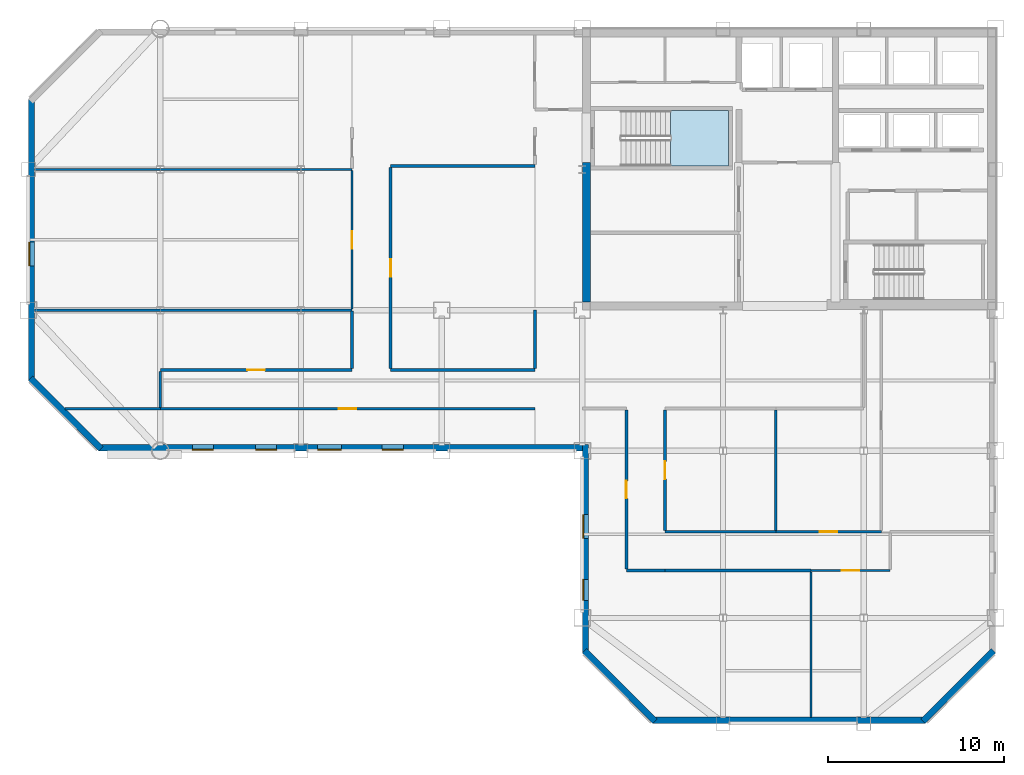
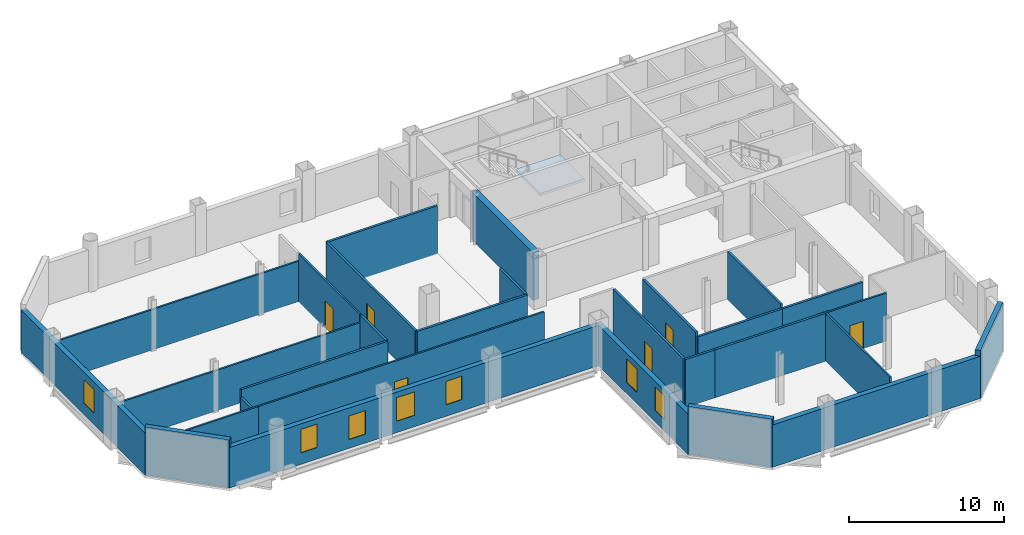
# One storey, part 4 of 10: 29 walls, 8 doors, 7 windows, 1 slab, 15 openings, 1 element without a shape of its own.
"""IFC4 building model written with IfcOpenShell, lengths in metres."""

from ifc_helpers import new_model, si_unit, direction, frame, frame_2d, origin, place, context, subcontext, project, spatial, polyline, rectangle, outline, extrude, material, layer, layer_set, type_object, element, fill, aggregate, save


model = new_model("IFC4")

# Units and contexts
model_context = context("Model", 3, precision=1e-05, world=origin(), true_north=direction((0.0, 1.0)))
body_context = subcontext(model_context, "Body", "Model", "MODEL_VIEW")
ifc_project = project(units=[si_unit("LENGTHUNIT", "METRE"), si_unit("AREAUNIT", "SQUARE_METRE"), si_unit("VOLUMEUNIT", "CUBIC_METRE"), si_unit("PLANEANGLEUNIT", "RADIAN"), si_unit("MASSUNIT", "GRAM", prefix="KILO")], contexts=[model_context])

# Site, building, storey
site_placement = place(None, origin())
site = spatial("IfcSite", under=ifc_project, at=site_placement, CompositionType="ELEMENT")
building_placement = place(site_placement, origin())
building = spatial("IfcBuilding", under=site, at=building_placement, Name="Qianrong Seaharbour Tower", CompositionType="ELEMENT")
storey_placement = place(building_placement, frame((0.0, 0.0, 249.800048828125)))
storey = spatial("IfcBuildingStorey", under=building, at=storey_placement, Name="L60", CompositionType="ELEMENT", Elevation=249.800048828125)

# Stair, slab
ifc_material_1 = material(Name="Concrete C50/60", Category="concrete")
stair_type = type_object("IfcStairType", Name="STAIR-DOGLEG-1500-R22", PredefinedType="HALF_TURN_STAIR", material=ifc_material_1)
stair_placement = place(storey_placement, origin())
stair = element("IfcStair", 1, at=stair_placement, inside=storey, type_object=stair_type, Name="L60 Protected Escape Stair ST-1", PredefinedType="HALF_TURN_STAIR")
ifc_layer_1 = layer(ifc_material_1, 0.199951171875)
ifc_layer_set_1 = layer_set([ifc_layer_1], Name="Concrete C50/60")
slab_type = type_object("IfcSlabType", Name="SLAB-STAIR-LANDING-200", PredefinedType="LANDING", material=ifc_layer_set_1)
slab_placement = place(storey_placement, frame((0.0, 0.0, 1.800048828125)))
slab = element("IfcSlab", 2, at=slab_placement, type_object=slab_type, Name="ST-1 landing 1", PredefinedType="LANDING", context=body_context, shape_type="SweptSolid", body=[
    extrude(outline(polyline([(45.5, 44.199951171875), (48.800048828125, 44.199951171875), (48.800048828125, 47.35009765625), (45.5, 47.35009765625), (45.5, 44.199951171875)])), origin(), (0.0, 0.0, 1.0), 0.199951171875),
])
aggregate(stair, [slab])

# Walls
ifc_material_2 = material(Name="Concrete C60/75", Category="concrete")
ifc_layer_2 = layer(ifc_material_2, 0.4599609375)
ifc_layer_set_2 = layer_set([ifc_layer_2], Name="Concrete C60/75")
wall_type_1 = type_object("IfcWallType", Name="WALL-CORE-460", PredefinedType="SHEAR", material=ifc_layer_set_2)
wall_1_placement = place(storey_placement, frame((40.72998046875, 36.4599609375, 0.0), z_axis=(0.0, 0.0, 1.0), x_axis=(0.0, 1.0, 0.0)))
element("IfcWall", 3, at=wall_1_placement, inside=storey, type_object=wall_type_1, Name="L60 West Core Shear Wall South", PredefinedType="SHEAR", context=body_context, shape_type="SweptSolid", body=[
    extrude(rectangle(XDim=7.93994140625, YDim=0.4599609375, at=frame_2d((3.969970703125, 0.0))), origin(), (0.0, 0.0, 1.0), 3.77490234375),
])
ifc_material_3 = material(Name="Fire-rated acoustic gypsum board partition")
ifc_layer_3 = layer(ifc_material_3, 0.1650390625)
ifc_layer_set_3 = layer_set([ifc_layer_3], Name="Fire-rated acoustic gypsum board partition")
wall_type_2 = type_object("IfcWallType", Name="WALL-CORR-PART-165", PredefinedType="PARTITIONING", material=ifc_layer_set_3)
wall_2_placement = place(storey_placement, frame((29.60009765625, 32.60009765625, 0.0), z_axis=(0.0, 0.0, 1.0), x_axis=(1.0, 0.0, 0.0)))
element("IfcWall", 4, at=wall_2_placement, inside=storey, type_object=wall_type_2, Name="L60 Interior Partition Wall 015", PredefinedType="PARTITIONING", context=body_context, shape_type="SweptSolid", body=[
    extrude(rectangle(XDim=8.199951171875, YDim=0.1650390625, at=frame_2d((4.10009765625, 0.0))), origin(), (0.0, 0.0, 1.0), 3.77490234375),
])
wall_3_placement = place(storey_placement, frame((16.5, 30.45703125, 0.0), z_axis=(0.0, 0.0, 1.0), x_axis=(0.0, 1.0, 0.0)))
element("IfcWall", 5, at=wall_3_placement, inside=storey, type_object=wall_type_2, Name="L60 Interior Partition Wall 016", PredefinedType="PARTITIONING", context=body_context, shape_type="SweptSolid", body=[
    extrude(rectangle(XDim=2.068359375, YDim=0.1650390625, at=frame_2d((1.0341796875, 0.0))), origin(), (0.0, 0.0, 1.0), 3.178955078125),
])

# Wall, opening, door
wall_4_placement = place(storey_placement, frame((16.5, 32.60009765625, 0.0), z_axis=(0.0, 0.0, 1.0), x_axis=(1.0, 0.0, 0.0)))
wall_4 = element("IfcWall", 6, at=wall_4_placement, inside=storey, type_object=wall_type_2, Name="L60 Interior Partition Wall 017", PredefinedType="PARTITIONING", context=body_context, shape_type="SweptSolid", body=[
    extrude(rectangle(XDim=10.89990234375, YDim=0.1650390625, at=frame_2d((5.449951171875, 0.0))), origin(), (0.0, 0.0, 1.0), 3.77490234375),
])
opening_1_placement = place(wall_4_placement, frame((4.949951171875, 0.0, 0.0)))
opening_1 = element("IfcOpeningElement", 7, at=opening_1_placement, cuts=wall_4, Name="Opening DO-01", PredefinedType="OPENING", context=body_context, shape_type="SweptSolid", body=[
    extrude(rectangle(XDim=1.0, YDim=2.14990234375, at=frame_2d((0.5, 1.074951171875))), frame((0.0, 0.092529296875, 0.0), z_axis=(0.0, -1.0, 0.0), x_axis=(1.0, 0.0, 0.0)), (0.0, 0.0, 1.0), 0.18505859375),
])
ifc_material_4 = material(Name="Acoustic timber and galvanized steel fire door assembly", Category="steel")
door_type = type_object("IfcDoorType", Name="DOOR-OFFICE-1000x2150", OperationType="NOTDEFINED", PredefinedType="DOOR", material=ifc_material_4)
door_1_placement = place(opening_1_placement, origin())
door_1 = element("IfcDoor", 8, at=door_1_placement, inside=storey, type_object=door_type, Name="L60 Harbour Sunset Lounge 1 Door", OperationType="SINGLE_SWING_RIGHT", OverallHeight=2.14990234375, OverallWidth=1.0, PredefinedType="DOOR", context=body_context, shape_type="SweptSolid", body=[
    extrude(rectangle(XDim=1.0, YDim=2.14990234375, at=frame_2d((0.5, 1.074951171875))), frame((0.0, 0.02490234375, 0.0), z_axis=(0.0, -1.0, 0.0), x_axis=(1.0, 0.0, 0.0)), (0.0, 0.0, 1.0), 0.050048828125),
])
fill(opening_1, door_1)

wall_5_placement = place(storey_placement, frame((29.60009765625, 44.12548828125, 0.0), z_axis=(0.0, 0.0, 1.0), x_axis=(0.0, -1.0, 0.0)))
wall_5 = element("IfcWall", 9, at=wall_5_placement, inside=storey, type_object=wall_type_2, Name="L60 Interior Partition Wall 019", PredefinedType="PARTITIONING", context=body_context, shape_type="SweptSolid", body=[
    extrude(rectangle(XDim=11.450927734375, YDim=0.1650390625, at=frame_2d((5.7255859375, 0.0))), origin(), (0.0, 0.0, 1.0), 3.77490234375),
])
opening_2_placement = place(wall_5_placement, frame((5.2255859375, 0.0, 0.0)))
opening_2 = element("IfcOpeningElement", 10, at=opening_2_placement, cuts=wall_5, Name="Opening DO-01", PredefinedType="OPENING", context=body_context, shape_type="SweptSolid", body=[
    extrude(rectangle(XDim=1.0, YDim=2.14990234375, at=frame_2d((0.5, 1.074951171875))), frame((0.0, 0.092529296875, 0.0), z_axis=(0.0, -1.0, 0.0), x_axis=(1.0, 0.0, 0.0)), (0.0, 0.0, 1.0), 0.18505859375),
])
door_2_placement = place(opening_2_placement, origin())
door_2 = element("IfcDoor", 11, at=door_2_placement, inside=storey, type_object=door_type, Name="L60 East Wing Open-Plan Office Door", OperationType="SINGLE_SWING_LEFT", OverallHeight=2.14990234375, OverallWidth=1.0, PredefinedType="DOOR", context=body_context, shape_type="SweptSolid", body=[
    extrude(rectangle(XDim=1.0, YDim=2.14990234375, at=frame_2d((0.5, 1.074951171875))), frame((0.0, 0.02490234375, 0.0), z_axis=(0.0, -1.0, 0.0), x_axis=(1.0, 0.0, 0.0)), (0.0, 0.0, 1.0), 0.050048828125),
])
fill(opening_2, door_2)

# Walls
wall_6_placement = place(storey_placement, frame((27.39990234375, 32.674560546875, 0.0), z_axis=(0.0, 0.0, 1.0), x_axis=(0.0, 1.0, 0.0)))
element("IfcWall", 12, at=wall_6_placement, inside=storey, type_object=wall_type_2, Name="L60 Interior Partition Wall 020", PredefinedType="PARTITIONING", context=body_context, shape_type="SweptSolid", body=[
    extrude(rectangle(XDim=3.2685546875, YDim=0.1650390625, at=frame_2d((1.63427734375, 0.0))), origin(), (0.0, 0.0, 1.0), 3.77490234375),
])
wall_7_placement = place(storey_placement, frame((37.800048828125, 44.199951171875, 0.0), z_axis=(0.0, 0.0, 1.0), x_axis=(-1.0, 0.0, 0.0)))
element("IfcWall", 13, at=wall_7_placement, inside=storey, type_object=wall_type_2, Name="L60 Interior Partition Wall 023", PredefinedType="PARTITIONING", context=body_context, shape_type="SweptSolid", body=[
    extrude(rectangle(XDim=8.199951171875, YDim=0.1650390625, at=frame_2d((4.10009765625, 0.0))), origin(), (0.0, 0.0, 1.0), 3.77490234375),
])
wall_8_placement = place(storey_placement, frame((37.800048828125, 32.674560546875, 0.0), z_axis=(0.0, 0.0, 1.0), x_axis=(0.0, 1.0, 0.0)))
element("IfcWall", 14, at=wall_8_placement, inside=storey, type_object=wall_type_2, Name="L60 Interior Partition Wall 024", PredefinedType="PARTITIONING", context=body_context, shape_type="SweptSolid", body=[
    extrude(rectangle(XDim=3.325439453125, YDim=0.1650390625, at=frame_2d((1.66259765625, 0.0))), origin(), (0.0, 0.0, 1.0), 3.77490234375),
])

# Wall, opening, door
wall_9_placement = place(storey_placement, frame((45.199951171875, 30.325439453125, 0.0), z_axis=(0.0, 0.0, 1.0), x_axis=(0.0, -1.0, 0.0)))
wall_9 = element("IfcWall", 15, at=wall_9_placement, inside=storey, type_object=wall_type_2, Name="L60 Interior Partition Wall 029", PredefinedType="PARTITIONING", context=body_context, shape_type="SweptSolid", body=[
    extrude(rectangle(XDim=6.850830078125, YDim=0.1650390625, at=frame_2d((3.42529296875, 0.0))), origin(), (0.0, 0.0, 1.0), 3.77490234375),
])
opening_3_placement = place(wall_9_placement, frame((2.925537109375, 0.0, 0.0)))
opening_3 = element("IfcOpeningElement", 16, at=opening_3_placement, cuts=wall_9, Name="Opening DO-01", PredefinedType="OPENING", context=body_context, shape_type="SweptSolid", body=[
    extrude(rectangle(XDim=1.0, YDim=2.14990234375, at=frame_2d((0.5, 1.074951171875))), frame((0.0, 0.092529296875, 0.0), z_axis=(0.0, -1.0, 0.0), x_axis=(1.0, 0.0, 0.0)), (0.0, 0.0, 1.0), 0.18505859375),
])
door_3_placement = place(opening_3_placement, origin())
door_3 = element("IfcDoor", 17, at=door_3_placement, inside=storey, type_object=door_type, Name="L60 East Harbour Dining Salon 1 Door", OperationType="SINGLE_SWING_LEFT", OverallHeight=2.14990234375, OverallWidth=1.0, PredefinedType="DOOR", context=body_context, shape_type="SweptSolid", body=[
    extrude(rectangle(XDim=1.0, YDim=2.14990234375, at=frame_2d((0.5, 1.074951171875))), frame((0.0, 0.02490234375, 0.0), z_axis=(0.0, -1.0, 0.0), x_axis=(1.0, 0.0, 0.0)), (0.0, 0.0, 1.0), 0.050048828125),
])
fill(opening_3, door_3)

# Wall
wall_10_placement = place(storey_placement, frame((45.199951171875, 21.199951171875, 0.0), z_axis=(0.0, 0.0, 1.0), x_axis=(-1.0, 0.0, 0.0)))
element("IfcWall", 18, at=wall_10_placement, inside=storey, type_object=wall_type_2, Name="L60 Interior Partition Wall 030", PredefinedType="PARTITIONING", context=body_context, shape_type="SweptSolid", body=[
    extrude(rectangle(XDim=2.199951171875, YDim=0.1650390625, at=frame_2d((1.10009765625, 0.0))), origin(), (0.0, 0.0, 1.0), 3.77490234375),
])

# Wall, opening, door
wall_11_placement = place(storey_placement, frame((43.0, 21.2744140625, 0.0), z_axis=(0.0, 0.0, 1.0), x_axis=(0.0, 1.0, 0.0)))
wall_11 = element("IfcWall", 19, at=wall_11_placement, inside=storey, type_object=wall_type_2, Name="L60 Interior Partition Wall 031", PredefinedType="PARTITIONING", context=body_context, shape_type="SweptSolid", body=[
    extrude(rectangle(XDim=9.051025390625, YDim=0.1650390625, at=frame_2d((4.525390625, 0.0))), origin(), (0.0, 0.0, 1.0), 3.77490234375),
])
opening_4_placement = place(wall_11_placement, frame((4.025390625, 0.0, 0.0)))
opening_4 = element("IfcOpeningElement", 20, at=opening_4_placement, cuts=wall_11, Name="Opening DO-01", PredefinedType="OPENING", context=body_context, shape_type="SweptSolid", body=[
    extrude(rectangle(XDim=1.0, YDim=2.14990234375, at=frame_2d((0.5, 1.074951171875))), frame((0.0, 0.092529296875, 0.0), z_axis=(0.0, -1.0, 0.0), x_axis=(1.0, 0.0, 0.0)), (0.0, 0.0, 1.0), 0.18505859375),
])
door_4_placement = place(opening_4_placement, origin())
door_4 = element("IfcDoor", 21, at=door_4_placement, inside=storey, type_object=door_type, Name="L60 South View Lounge 1 Door", OperationType="SINGLE_SWING_LEFT", OverallHeight=2.14990234375, OverallWidth=1.0, PredefinedType="DOOR", context=body_context, shape_type="SweptSolid", body=[
    extrude(rectangle(XDim=1.0, YDim=2.14990234375, at=frame_2d((0.5, 1.074951171875))), frame((0.0, 0.02490234375, 0.0), z_axis=(0.0, -1.0, 0.0), x_axis=(1.0, 0.0, 0.0)), (0.0, 0.0, 1.0), 0.050048828125),
])
fill(opening_4, door_4)

# Wall
wall_12_placement = place(storey_placement, frame((45.199951171875, 23.39990234375, 0.0), z_axis=(0.0, 0.0, 1.0), x_axis=(1.0, 0.0, 0.0)))
element("IfcWall", 22, at=wall_12_placement, inside=storey, type_object=wall_type_2, Name="L60 Interior Partition Wall 032", PredefinedType="PARTITIONING", context=body_context, shape_type="SweptSolid", body=[
    extrude(rectangle(XDim=6.300048828125, YDim=0.1650390625, at=frame_2d((3.14990234375, 0.0))), origin(), (0.0, 0.0, 1.0), 3.467041015625),
])

# Wall, opening, door
wall_13_placement = place(storey_placement, frame((51.5, 23.39990234375, 0.0), z_axis=(0.0, 0.0, 1.0), x_axis=(1.0, 0.0, 0.0)))
wall_13 = element("IfcWall", 23, at=wall_13_placement, inside=storey, type_object=wall_type_2, Name="L60 Interior Partition Wall 033", PredefinedType="PARTITIONING", context=body_context, shape_type="SweptSolid", body=[
    extrude(rectangle(XDim=6.0, YDim=0.1650390625, at=frame_2d((3.0, 0.0))), origin(), (0.0, 0.0, 1.0), 3.467041015625),
])
opening_5_placement = place(wall_13_placement, frame((2.5, 0.0, 0.0)))
opening_5 = element("IfcOpeningElement", 24, at=opening_5_placement, cuts=wall_13, Name="Opening DO-01", PredefinedType="OPENING", context=body_context, shape_type="SweptSolid", body=[
    extrude(rectangle(XDim=1.0, YDim=2.14990234375, at=frame_2d((0.5, 1.074951171875))), frame((0.0, 0.092529296875, 0.0), z_axis=(0.0, -1.0, 0.0), x_axis=(1.0, 0.0, 0.0)), (0.0, 0.0, 1.0), 0.18505859375),
])
door_5_placement = place(opening_5_placement, origin())
door_5 = element("IfcDoor", 25, at=door_5_placement, inside=storey, type_object=door_type, Name="L60 Catering Servery Kitchen 2 Door", OperationType="SINGLE_SWING_RIGHT", OverallHeight=2.14990234375, OverallWidth=1.0, PredefinedType="DOOR", context=body_context, shape_type="SweptSolid", body=[
    extrude(rectangle(XDim=1.0, YDim=2.14990234375, at=frame_2d((0.5, 1.074951171875))), frame((0.0, 0.02490234375, 0.0), z_axis=(0.0, -1.0, 0.0), x_axis=(1.0, 0.0, 0.0)), (0.0, 0.0, 1.0), 0.050048828125),
])
fill(opening_5, door_5)

# Wall
wall_14_placement = place(storey_placement, frame((53.5, 21.199951171875, 0.0), z_axis=(0.0, 0.0, 1.0), x_axis=(-1.0, 0.0, 0.0)))
element("IfcWall", 26, at=wall_14_placement, inside=storey, type_object=wall_type_2, Name="L60 Interior Partition Wall 034", PredefinedType="PARTITIONING", context=body_context, shape_type="SweptSolid", body=[
    extrude(rectangle(XDim=8.300048828125, YDim=0.1650390625, at=frame_2d((4.14990234375, 0.0))), origin(), (0.0, 0.0, 1.0), 3.77490234375),
])

# Wall, openings, windows
ifc_material_5 = material(Name="Unitised red brick on Precast concrete C45/55", Category="masonry")
ifc_layer_4 = layer(ifc_material_5, 0.360107421875)
ifc_layer_set_4 = layer_set([ifc_layer_4], Name="Unitised red brick on Precast concrete C45/55")
wall_type_3 = type_object("IfcWallType", Name="WALL-EXT-BRICK-RED-360", PredefinedType="SOLIDWALL", material=ifc_layer_set_4)
wall_15_placement = place(storey_placement, frame((40.679931640625, 16.5, 0.0), z_axis=(0.0, 0.0, 1.0), x_axis=(0.0, 1.0, 0.0)))
wall_15 = element("IfcWall", 27, at=wall_15_placement, inside=storey, type_object=wall_type_3, Name="L60 Exterior Masonry Facade Wall REENTRANT_WEST", PredefinedType="SOLIDWALL", context=body_context, shape_type="SweptSolid", body=[
    extrude(rectangle(XDim=11.860107421875, YDim=0.360107421875, at=frame_2d((5.93017578125, 0.0))), origin(), (0.0, 0.0, 1.0), 3.18701171875),
])
opening_6_placement = place(wall_15_placement, frame((3.0, 0.0, 0.89990234375)))
opening_6 = element("IfcOpeningElement", 28, at=opening_6_placement, cuts=wall_15, Name="Opening WN-01", PredefinedType="OPENING", context=body_context, shape_type="SweptSolid", body=[
    extrude(rectangle(XDim=1.199951171875, YDim=1.85009765625, at=frame_2d((0.60009765625, 0.925048828125))), frame((0.0, 0.18994140625, 0.0), z_axis=(0.0, -1.0, 0.0), x_axis=(1.0, 0.0, 0.0)), (0.0, 0.0, 1.0), 0.380126953125),
])
opening_7_placement = place(wall_15_placement, frame((6.52490234375, 0.0, 0.89990234375)))
opening_7 = element("IfcOpeningElement", 29, at=opening_7_placement, cuts=wall_15, Name="Opening WN-02", PredefinedType="OPENING", context=body_context, shape_type="SweptSolid", body=[
    extrude(rectangle(XDim=1.35009765625, YDim=1.85009765625, at=frame_2d((0.675048828125, 0.925048828125))), frame((0.0, 0.18994140625, 0.0), z_axis=(0.0, -1.0, 0.0), x_axis=(1.0, 0.0, 0.0)), (0.0, 0.0, 1.0), 0.380126953125),
])
ifc_material_6 = material(Name="Insulated low-e double glazing in thermally broken aluminium 6063-T6 frame", Category="aluminium")
window_type_1 = type_object("IfcWindowType", Name="WIN-PUNCH-1200x1850", PartitioningType="DOUBLE_PANEL_VERTICAL", PredefinedType="WINDOW", material=ifc_material_6)
window_1_placement = place(opening_6_placement, origin())
window_1 = element("IfcWindow", 30, at=window_1_placement, inside=storey, type_object=window_type_1, Name="L60 Deep-Set Punched Window 00.01", OverallHeight=1.85009765625, OverallWidth=1.199951171875, PartitioningType="DOUBLE_PANEL_VERTICAL", PredefinedType="WINDOW", context=body_context, shape_type="SweptSolid", body=[
    extrude(rectangle(XDim=1.199951171875, YDim=1.85009765625, at=frame_2d((0.60009765625, 0.925048828125))), frame((0.0, 0.150146484375, 0.0), z_axis=(0.0, -1.0, 0.0), x_axis=(1.0, 0.0, 0.0)), (0.0, 0.0, 1.0), 0.06005859375),
])
fill(opening_6, window_1)
window_type_2 = type_object("IfcWindowType", Name="WIN-PUNCH-1350x1850", PartitioningType="DOUBLE_PANEL_VERTICAL", PredefinedType="WINDOW", material=ifc_material_6)
window_2_placement = place(opening_7_placement, origin())
window_2 = element("IfcWindow", 31, at=window_2_placement, inside=storey, type_object=window_type_2, Name="L60 Deep-Set Punched Window 00.02", OverallHeight=1.85009765625, OverallWidth=1.35009765625, PartitioningType="DOUBLE_PANEL_VERTICAL", PredefinedType="WINDOW", context=body_context, shape_type="SweptSolid", body=[
    extrude(rectangle(XDim=1.35009765625, YDim=1.85009765625, at=frame_2d((0.675048828125, 0.925048828125))), frame((0.0, 0.150146484375, 0.0), z_axis=(0.0, -1.0, 0.0), x_axis=(1.0, 0.0, 0.0)), (0.0, 0.0, 1.0), 0.06005859375),
])
fill(opening_7, window_2)

wall_16_placement = place(storey_placement, frame((40.52001953125, 28.179931640625, 0.0), z_axis=(0.0, 0.0, 1.0), x_axis=(-1.0, 0.0, 0.0)))
wall_16 = element("IfcWall", 32, at=wall_16_placement, inside=storey, type_object=wall_type_3, Name="L60 Exterior Masonry Facade Wall HARBOUR_RIBBON", PredefinedType="SOLIDWALL", context=body_context, shape_type="SweptSolid", body=[
    extrude(rectangle(XDim=27.52001953125, YDim=0.360107421875, at=frame_2d((13.760009765625, 0.0))), origin(), (0.0, 0.0, 1.0), 3.18701171875),
])
opening_8_placement = place(wall_16_placement, frame((10.199951171875, 0.0, 0.89990234375)))
opening_8 = element("IfcOpeningElement", 33, at=opening_8_placement, cuts=wall_16, Name="Opening WN-01", PredefinedType="OPENING", context=body_context, shape_type="SweptSolid", body=[
    extrude(rectangle(XDim=1.199951171875, YDim=1.85009765625, at=frame_2d((0.60009765625, 0.925048828125))), frame((0.0, 0.18994140625, 0.0), z_axis=(0.0, -1.0, 0.0), x_axis=(1.0, 0.0, 0.0)), (0.0, 0.0, 1.0), 0.380126953125),
])
opening_9_placement = place(wall_16_placement, frame((13.72509765625, 0.0, 0.89990234375)))
opening_9 = element("IfcOpeningElement", 34, at=opening_9_placement, cuts=wall_16, Name="Opening WN-02", PredefinedType="OPENING", context=body_context, shape_type="SweptSolid", body=[
    extrude(rectangle(XDim=1.35009765625, YDim=1.85009765625, at=frame_2d((0.675048828125, 0.925048828125))), frame((0.0, 0.18994140625, 0.0), z_axis=(0.0, -1.0, 0.0), x_axis=(1.0, 0.0, 0.0)), (0.0, 0.0, 1.0), 0.380126953125),
])
opening_10_placement = place(wall_16_placement, frame((17.39990234375, 0.0, 0.699951171875)))
opening_10 = element("IfcOpeningElement", 35, at=opening_10_placement, cuts=wall_16, Name="Opening WN-01", PredefinedType="OPENING", context=body_context, shape_type="SweptSolid", body=[
    extrude(rectangle(XDim=1.199951171875, YDim=1.85009765625, at=frame_2d((0.60009765625, 0.925048828125))), frame((0.0, 0.18994140625, 0.0), z_axis=(0.0, -1.0, 0.0), x_axis=(1.0, 0.0, 0.0)), (0.0, 0.0, 1.0), 0.380126953125),
])
opening_11_placement = place(wall_16_placement, frame((21.0, 0.0, 0.89990234375)))
opening_11 = element("IfcOpeningElement", 36, at=opening_11_placement, cuts=wall_16, Name="Opening WN-01", PredefinedType="OPENING", context=body_context, shape_type="SweptSolid", body=[
    extrude(rectangle(XDim=1.199951171875, YDim=1.85009765625, at=frame_2d((0.60009765625, 0.925048828125))), frame((0.0, 0.18994140625, 0.0), z_axis=(0.0, -1.0, 0.0), x_axis=(1.0, 0.0, 0.0)), (0.0, 0.0, 1.0), 0.380126953125),
])
window_3_placement = place(opening_8_placement, origin())
window_3 = element("IfcWindow", 37, at=window_3_placement, inside=storey, type_object=window_type_1, Name="L60 Deep-Set Punched Window 01.03", OverallHeight=1.85009765625, OverallWidth=1.199951171875, PartitioningType="DOUBLE_PANEL_VERTICAL", PredefinedType="WINDOW", context=body_context, shape_type="SweptSolid", body=[
    extrude(rectangle(XDim=1.199951171875, YDim=1.85009765625, at=frame_2d((0.60009765625, 0.925048828125))), frame((0.0, 0.150146484375, 0.0), z_axis=(0.0, -1.0, 0.0), x_axis=(1.0, 0.0, 0.0)), (0.0, 0.0, 1.0), 0.06005859375),
])
fill(opening_8, window_3)
window_4_placement = place(opening_10_placement, origin())
window_4 = element("IfcWindow", 38, at=window_4_placement, inside=storey, type_object=window_type_1, Name="L60 Deep-Set Punched Window 01.05", OverallHeight=1.85009765625, OverallWidth=1.199951171875, PartitioningType="DOUBLE_PANEL_VERTICAL", PredefinedType="WINDOW", context=body_context, shape_type="SweptSolid", body=[
    extrude(rectangle(XDim=1.199951171875, YDim=1.85009765625, at=frame_2d((0.60009765625, 0.925048828125))), frame((0.0, 0.150146484375, 0.0), z_axis=(0.0, -1.0, 0.0), x_axis=(1.0, 0.0, 0.0)), (0.0, 0.0, 1.0), 0.06005859375),
])
fill(opening_10, window_4)
window_5_placement = place(opening_11_placement, origin())
window_5 = element("IfcWindow", 39, at=window_5_placement, inside=storey, type_object=window_type_1, Name="L60 Deep-Set Punched Window 01.06", OverallHeight=1.85009765625, OverallWidth=1.199951171875, PartitioningType="DOUBLE_PANEL_VERTICAL", PredefinedType="WINDOW", context=body_context, shape_type="SweptSolid", body=[
    extrude(rectangle(XDim=1.199951171875, YDim=1.85009765625, at=frame_2d((0.60009765625, 0.925048828125))), frame((0.0, 0.150146484375, 0.0), z_axis=(0.0, -1.0, 0.0), x_axis=(1.0, 0.0, 0.0)), (0.0, 0.0, 1.0), 0.06005859375),
])
fill(opening_11, window_5)
window_6_placement = place(opening_9_placement, origin())
window_6 = element("IfcWindow", 40, at=window_6_placement, inside=storey, type_object=window_type_2, Name="L60 Deep-Set Punched Window 01.04", OverallHeight=1.85009765625, OverallWidth=1.35009765625, PartitioningType="DOUBLE_PANEL_VERTICAL", PredefinedType="WINDOW", context=body_context, shape_type="SweptSolid", body=[
    extrude(rectangle(XDim=1.35009765625, YDim=1.85009765625, at=frame_2d((0.675048828125, 0.925048828125))), frame((0.0, 0.150146484375, 0.0), z_axis=(0.0, -1.0, 0.0), x_axis=(1.0, 0.0, 0.0)), (0.0, 0.0, 1.0), 0.06005859375),
])
fill(opening_9, window_6)

# Wall
wall_17_placement = place(storey_placement, frame((13.127197265625, 28.127197265625, 0.0), z_axis=(0.0, 0.0, 1.0), x_axis=(-0.707106781187, 0.707106781187, 0.0)))
element("IfcWall", 41, at=wall_17_placement, inside=storey, type_object=wall_type_3, Name="L60 Exterior Masonry Facade Wall E02", PredefinedType="SOLIDWALL", context=body_context, shape_type="SweptSolid", body=[
    extrude(rectangle(XDim=5.65673828125, YDim=0.360107421875, at=frame_2d((2.828369140625, 0.0))), origin(), (0.0, 0.0, 1.0), 3.77490234375),
])

# Wall, opening, window
wall_18_placement = place(storey_placement, frame((9.179931640625, 32.0, 0.0), z_axis=(0.0, 0.0, 1.0), x_axis=(0.0, 1.0, 0.0)))
wall_18 = element("IfcWall", 42, at=wall_18_placement, inside=storey, type_object=wall_type_3, Name="L60 Exterior Masonry Facade Wall WEST_TIP", PredefinedType="SOLIDWALL", context=body_context, shape_type="SweptSolid", body=[
    extrude(rectangle(XDim=16.0, YDim=0.360107421875, at=frame_2d((8.0, 0.0))), origin(), (0.0, 0.0, 1.0), 3.324951171875),
])
opening_12_placement = place(wall_18_placement, frame((6.52490234375, 0.0, 0.89990234375)))
opening_12 = element("IfcOpeningElement", 43, at=opening_12_placement, cuts=wall_18, Name="Opening WN-02", PredefinedType="OPENING", context=body_context, shape_type="SweptSolid", body=[
    extrude(rectangle(XDim=1.35009765625, YDim=1.85009765625, at=frame_2d((0.675048828125, 0.925048828125))), frame((0.0, 0.18994140625, 0.0), z_axis=(0.0, -1.0, 0.0), x_axis=(1.0, 0.0, 0.0)), (0.0, 0.0, 1.0), 0.380126953125),
])
window_7_placement = place(opening_12_placement, origin())
window_7 = element("IfcWindow", 44, at=window_7_placement, inside=storey, type_object=window_type_2, Name="L60 Deep-Set Punched Window 03.02", OverallHeight=1.85009765625, OverallWidth=1.35009765625, PartitioningType="DOUBLE_PANEL_VERTICAL", PredefinedType="WINDOW", context=body_context, shape_type="SweptSolid", body=[
    extrude(rectangle(XDim=1.35009765625, YDim=1.85009765625, at=frame_2d((0.675048828125, 0.925048828125))), frame((0.0, 0.150146484375, 0.0), z_axis=(0.0, -1.0, 0.0), x_axis=(1.0, 0.0, 0.0)), (0.0, 0.0, 1.0), 0.06005859375),
])
fill(opening_12, window_7)

# Walls
wall_19_placement = place(storey_placement, frame((63.872802734375, 16.627197265625, 0.0), z_axis=(0.0, 0.0, 1.0), x_axis=(-0.707106781187, -0.707106781187, 0.0)))
element("IfcWall", 45, at=wall_19_placement, inside=storey, type_object=wall_type_3, Name="L60 Exterior Masonry Facade Wall E07", PredefinedType="SOLIDWALL", context=body_context, shape_type="SweptSolid", body=[
    extrude(rectangle(XDim=5.65673828125, YDim=0.360107421875, at=frame_2d((2.828369140625, 0.0))), origin(), (0.0, 0.0, 1.0), 3.77490234375),
])
wall_20_placement = place(storey_placement, frame((60.0, 12.679931640625, 0.0), z_axis=(0.0, 0.0, 1.0), x_axis=(-1.0, 0.0, 0.0)))
element("IfcWall", 46, at=wall_20_placement, inside=storey, type_object=wall_type_3, Name="L60 Exterior Masonry Facade Wall SOUTH_TIP", PredefinedType="SOLIDWALL", context=body_context, shape_type="SweptSolid", body=[
    extrude(rectangle(XDim=15.5, YDim=0.360107421875, at=frame_2d((7.75, 0.0))), origin(), (0.0, 0.0, 1.0), 3.324951171875),
])
wall_21_placement = place(storey_placement, frame((44.627197265625, 12.627197265625, 0.0), z_axis=(0.0, 0.0, 1.0), x_axis=(-0.707106781187, 0.707106781187, 0.0)))
element("IfcWall", 47, at=wall_21_placement, inside=storey, type_object=wall_type_3, Name="L60 Exterior Masonry Facade Wall E09", PredefinedType="SOLIDWALL", context=body_context, shape_type="SweptSolid", body=[
    extrude(rectangle(XDim=5.65673828125, YDim=0.360107421875, at=frame_2d((2.828369140625, 0.0))), origin(), (0.0, 0.0, 1.0), 3.77490234375),
])
ifc_material_7 = material(Name="Acoustic gypsum board stud partition")
ifc_layer_5 = layer(ifc_material_7, 0.14501953125)
ifc_layer_set_5 = layer_set([ifc_layer_5], Name="Acoustic gypsum board stud partition")
wall_type_4 = type_object("IfcWallType", Name="WALL-OFFICE-PART-145", PredefinedType="PARTITIONING", material=ifc_layer_set_5)
wall_22_placement = place(storey_placement, frame((51.5, 30.325439453125, 0.0), z_axis=(0.0, 0.0, 1.0), x_axis=(0.0, -1.0, 0.0)))
element("IfcWall", 48, at=wall_22_placement, inside=storey, type_object=wall_type_4, Name="L60 Interior Partition Wall 040", PredefinedType="PARTITIONING", context=body_context, shape_type="SweptSolid", body=[
    extrude(rectangle(XDim=6.850830078125, YDim=0.14501953125, at=frame_2d((3.42529296875, 0.0))), origin(), (0.0, 0.0, 1.0), 3.77490234375),
])

# Wall, opening, door
ifc_material_8 = material(Name="Water-resistant cement board sanitary partition")
ifc_layer_6 = layer(ifc_material_8, 0.1298828125)
ifc_layer_set_6 = layer_set([ifc_layer_6], Name="Water-resistant cement board sanitary partition")
wall_type_5 = type_object("IfcWallType", Name="WALL-WET-PART-130", PredefinedType="PARTITIONING", material=ifc_layer_set_6)
wall_23_placement = place(storey_placement, frame((37.800048828125, 30.39990234375, 0.0), z_axis=(0.0, 0.0, 1.0), x_axis=(-1.0, 0.0, 0.0)))
wall_23 = element("IfcWall", 49, at=wall_23_placement, inside=storey, type_object=wall_type_5, Name="L60 Interior Partition Wall 018", PredefinedType="PARTITIONING", context=body_context, shape_type="SweptSolid", body=[
    extrude(rectangle(XDim=21.300048828125, YDim=0.1298828125, at=frame_2d((10.64990234375, 0.0))), origin(), (0.0, 0.0, 1.0), 3.77490234375),
])
opening_13_placement = place(wall_23_placement, frame((10.14990234375, 0.0, 0.0)))
opening_13 = element("IfcOpeningElement", 50, at=opening_13_placement, cuts=wall_23, Name="Opening DO-01", PredefinedType="OPENING", context=body_context, shape_type="SweptSolid", body=[
    extrude(rectangle(XDim=1.0, YDim=2.14990234375, at=frame_2d((0.5, 1.074951171875))), frame((0.0, 0.074951171875, 0.0), z_axis=(0.0, -1.0, 0.0), x_axis=(1.0, 0.0, 0.0)), (0.0, 0.0, 1.0), 0.14990234375),
])
door_6_placement = place(opening_13_placement, origin())
door_6 = element("IfcDoor", 51, at=door_6_placement, inside=storey, type_object=door_type, Name="L60 Wet Pantry 1 Door", OperationType="SINGLE_SWING_RIGHT", OverallHeight=2.14990234375, OverallWidth=1.0, PredefinedType="DOOR", context=body_context, shape_type="SweptSolid", body=[
    extrude(rectangle(XDim=1.0, YDim=2.14990234375, at=frame_2d((0.5, 1.074951171875))), frame((0.0, 0.02490234375, 0.0), z_axis=(0.0, -1.0, 0.0), x_axis=(1.0, 0.0, 0.0)), (0.0, 0.0, 1.0), 0.050048828125),
])
fill(opening_13, door_6)

wall_24_placement = place(storey_placement, frame((27.39990234375, 36.056884765625, 0.0), z_axis=(0.0, 0.0, 1.0), x_axis=(0.0, 1.0, 0.0)))
wall_24 = element("IfcWall", 52, at=wall_24_placement, inside=storey, type_object=wall_type_5, Name="L60 Interior Partition Wall 021", PredefinedType="PARTITIONING", context=body_context, shape_type="SweptSolid", body=[
    extrude(rectangle(XDim=7.88623046875, YDim=0.1298828125, at=frame_2d((3.943115234375, 0.0))), origin(), (0.0, 0.0, 1.0), 3.77490234375),
])
opening_14_placement = place(wall_24_placement, frame((3.443115234375, 0.0, 0.0)))
opening_14 = element("IfcOpeningElement", 53, at=opening_14_placement, cuts=wall_24, Name="Opening DO-01", PredefinedType="OPENING", context=body_context, shape_type="SweptSolid", body=[
    extrude(rectangle(XDim=1.0, YDim=2.14990234375, at=frame_2d((0.5, 1.074951171875))), frame((0.0, 0.074951171875, 0.0), z_axis=(0.0, -1.0, 0.0), x_axis=(1.0, 0.0, 0.0)), (0.0, 0.0, 1.0), 0.14990234375),
])
door_7_placement = place(opening_14_placement, origin())
door_7 = element("IfcDoor", 54, at=door_7_placement, inside=storey, type_object=door_type, Name="L60 Barista Coffee Pantry 2 Door", OperationType="SINGLE_SWING_LEFT", OverallHeight=2.14990234375, OverallWidth=1.0, PredefinedType="DOOR", context=body_context, shape_type="SweptSolid", body=[
    extrude(rectangle(XDim=1.0, YDim=2.14990234375, at=frame_2d((0.5, 1.074951171875))), frame((0.0, 0.02490234375, 0.0), z_axis=(0.0, -1.0, 0.0), x_axis=(1.0, 0.0, 0.0)), (0.0, 0.0, 1.0), 0.050048828125),
])
fill(opening_14, door_7)

wall_25_placement = place(storey_placement, frame((58.0, 21.199951171875, 0.0), z_axis=(0.0, 0.0, 1.0), x_axis=(-1.0, 0.0, 0.0)))
wall_25 = element("IfcWall", 55, at=wall_25_placement, inside=storey, type_object=wall_type_5, Name="L60 Interior Partition Wall 036", PredefinedType="PARTITIONING", context=body_context, shape_type="SweptSolid", body=[
    extrude(rectangle(XDim=4.5, YDim=0.1298828125, at=frame_2d((2.25, 0.0))), origin(), (0.0, 0.0, 1.0), 3.77490234375),
])
opening_15_placement = place(wall_25_placement, frame((1.75, 0.0, 0.0)))
opening_15 = element("IfcOpeningElement", 56, at=opening_15_placement, cuts=wall_25, Name="Opening DO-01", PredefinedType="OPENING", context=body_context, shape_type="SweptSolid", body=[
    extrude(rectangle(XDim=1.0, YDim=2.14990234375, at=frame_2d((0.5, 1.074951171875))), frame((0.0, 0.074951171875, 0.0), z_axis=(0.0, -1.0, 0.0), x_axis=(1.0, 0.0, 0.0)), (0.0, 0.0, 1.0), 0.14990234375),
])
door_8_placement = place(opening_15_placement, origin())
door_8 = element("IfcDoor", 57, at=door_8_placement, inside=storey, type_object=door_type, Name="L60 Tea Servery Pantry 2 Door", OperationType="SINGLE_SWING_RIGHT", OverallHeight=2.14990234375, OverallWidth=1.0, PredefinedType="DOOR", context=body_context, shape_type="SweptSolid", body=[
    extrude(rectangle(XDim=1.0, YDim=2.14990234375, at=frame_2d((0.5, 1.074951171875))), frame((0.0, 0.02490234375, 0.0), z_axis=(0.0, -1.0, 0.0), x_axis=(1.0, 0.0, 0.0)), (0.0, 0.0, 1.0), 0.050048828125),
])
fill(opening_15, door_8)

# Walls
wall_26_placement = place(storey_placement, frame((9.35205078125, 36.0, 0.0), z_axis=(0.0, 0.0, 1.0), x_axis=(1.0, 0.0, 0.0)))
element("IfcWall", 58, at=wall_26_placement, inside=storey, type_object=wall_type_5, Name="L60 Interior Partition Wall 037", PredefinedType="PARTITIONING", context=body_context, shape_type="SweptSolid", body=[
    extrude(rectangle(XDim=18.0478515625, YDim=0.1298828125, at=frame_2d((9.02392578125, 0.0))), origin(), (0.0, 0.0, 1.0), 3.178955078125),
])
wall_27_placement = place(storey_placement, frame((16.5, 30.39990234375, 0.0), z_axis=(0.0, 0.0, 1.0), x_axis=(-1.0, 0.0, 0.0)))
element("IfcWall", 59, at=wall_27_placement, inside=storey, type_object=wall_type_5, Name="L60 Interior Partition Wall 038", PredefinedType="PARTITIONING", context=body_context, shape_type="SweptSolid", body=[
    extrude(rectangle(XDim=5.402099609375, YDim=0.1298828125, at=frame_2d((2.701171875, 0.0))), origin(), (0.0, 0.0, 1.0), 3.77490234375),
])
wall_28_placement = place(storey_placement, frame((9.35205078125, 44.0, 0.0), z_axis=(0.0, 0.0, 1.0), x_axis=(1.0, 0.0, 0.0)))
element("IfcWall", 60, at=wall_28_placement, inside=storey, type_object=wall_type_5, Name="L60 Interior Partition Wall 039", PredefinedType="PARTITIONING", context=body_context, shape_type="SweptSolid", body=[
    extrude(rectangle(XDim=18.0478515625, YDim=0.1298828125, at=frame_2d((9.02392578125, 0.0))), origin(), (0.0, 0.0, 1.0), 3.178955078125),
])
wall_29_placement = place(storey_placement, frame((53.5, 21.12548828125, 0.0), z_axis=(0.0, 0.0, 1.0), x_axis=(0.0, -1.0, 0.0)))
element("IfcWall", 61, at=wall_29_placement, inside=storey, type_object=wall_type_5, Name="L60 Interior Partition Wall 043", PredefinedType="PARTITIONING", context=body_context, shape_type="SweptSolid", body=[
    extrude(rectangle(XDim=8.2734375, YDim=0.1298828125, at=frame_2d((4.13671875, 0.0))), origin(), (0.0, 0.0, 1.0), 3.77490234375),
])

save(model, "model.ifc")
